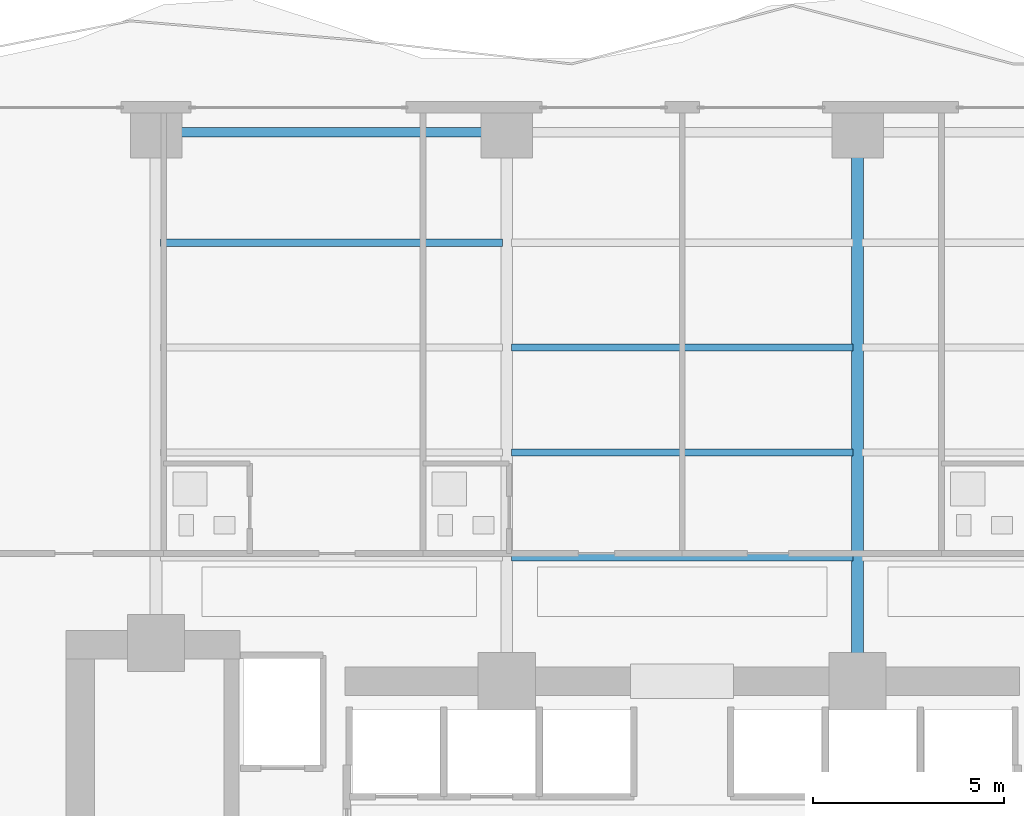
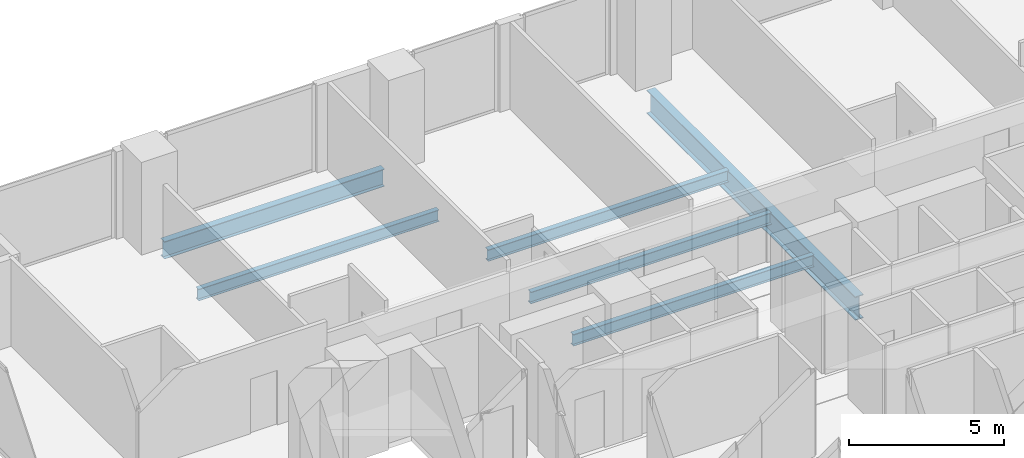
# One storey, part 16 of 30: 6 beams.
"""IFC4 building model written with IfcOpenShell, lengths in metres."""

from ifc_helpers import new_model, si_unit, direction, frame, origin, origin_2d, place, context, subcontext, project, spatial, i_section, extrude, material, material_profile, profile_set, type_object, element, save


model = new_model("IFC4")

# Units and contexts
model_context = context("Model", 3, precision=1e-05, world=origin(), true_north=direction((0.0, 1.0)))
body_context = subcontext(model_context, "Body", "Model", "MODEL_VIEW")
ifc_project = project(units=[si_unit("LENGTHUNIT", "METRE"), si_unit("AREAUNIT", "SQUARE_METRE"), si_unit("VOLUMEUNIT", "CUBIC_METRE"), si_unit("PLANEANGLEUNIT", "RADIAN"), si_unit("MASSUNIT", "GRAM", prefix="KILO")], contexts=[model_context])

# Site, building, storey
site_placement = place(None, origin())
site = spatial("IfcSite", under=ifc_project, at=site_placement, CompositionType="ELEMENT")
building_placement = place(site_placement, origin())
building = spatial("IfcBuilding", under=site, at=building_placement, Name="Zuhayl Quay Hotel", CompositionType="ELEMENT")
storey_placement = place(building_placement, frame((0.0, 0.0, 128.5)))
storey = spatial("IfcBuildingStorey", under=building, at=storey_placement, Name="L32", CompositionType="ELEMENT", Elevation=128.5)

# Beams
ifc_material = material(Name="Steel ASTM A992 Grade 50", Category="steel")
ifc_material_profile_1 = material_profile(ifc_material, i_section(OverallWidth=0.25390625, OverallDepth=0.68310546875, WebThickness=0.012451171875, FlangeThickness=0.018798828125, at=origin_2d()), Name="W27X94")
ifc_profile_set_1 = profile_set([ifc_material_profile_1], Name="Steel ASTM A992 Grade 50")
beam_type_1 = type_object("IfcBeamType", Name="BM_B2_W27X94", PredefinedType="BEAM", material=ifc_profile_set_1)
beam_1_placement = place(storey_placement, frame((-5.10009765625, 27.75, -0.5615234375), z_axis=(-1.0, 0.0, 0.0), x_axis=(0.0, -1.0, 0.0)))
element("IfcBeam", 1, at=beam_1_placement, inside=storey, type_object=beam_type_1, Name="L32 Floor Beam RG_L32_09", PredefinedType="BEAM", context=body_context, shape_type="SweptSolid", body=[
    extrude(i_section(OverallWidth=0.25390625, OverallDepth=0.68310546875, WebThickness=0.012451171875, FlangeThickness=0.018798828125, at=origin_2d()), origin(), (0.0, 0.0, 1.0), 8.199951171875),
])
ifc_material_profile_2 = material_profile(ifc_material, i_section(OverallWidth=0.18994140625, OverallDepth=0.45703125, WebThickness=0.009033203125, FlangeThickness=0.014404296875, at=origin_2d()), Name="W18X50")
ifc_profile_set_2 = profile_set([ifc_material_profile_2], Name="Steel ASTM A992 Grade 50")
beam_type_2 = type_object("IfcBeamType", Name="BM_J2_W18X50", PredefinedType="JOIST", material=ifc_profile_set_2)
for number, where, z_axis, x_axis, name in (
    (2, (-4.48095703125, 16.60009765625, -0.448486328125), (1.0, 0.0, 0.0), (0.0, 1.0, 0.0), "L32 Floor Beam FJ_L32_1_2"),
    (3, (-4.48095703125, 19.35009765625, -0.448486328125), (1.0, 0.0, 0.0), (0.0, 1.0, 0.0), "L32 Floor Beam FJ_L32_2_2"),
    (4, (-4.48095703125, 22.10009765625, -0.448486328125), (1.0, 0.0, 0.0), (0.0, 1.0, 0.0), "L32 Floor Beam FJ_L32_3_2"),
    (5, (-13.680908203125, 24.85009765625, -0.448486328125), (1.0, 0.0, 0.0), (0.0, 1.0, 0.0), "L32 Floor Beam FJ_L32_4_1"),
):
    element("IfcBeam", number, at=place(storey_placement, frame(where, z_axis=z_axis, x_axis=x_axis)), inside=storey, type_object=beam_type_2, Name=name, PredefinedType="JOIST", context=body_context, shape_type="SweptSolid", body=[
        extrude(i_section(OverallWidth=0.18994140625, OverallDepth=0.45703125, WebThickness=0.009033203125, FlangeThickness=0.014404296875, at=origin_2d()), origin(), (0.0, 0.0, 1.0), 8.9619140625),
    ])
ifc_material_profile_3 = material_profile(ifc_material, i_section(OverallWidth=0.306884765625, OverallDepth=0.927001953125, WebThickness=0.019287109375, FlangeThickness=0.031982421875, at=origin_2d()), Name="W36X194")
ifc_profile_set_3 = profile_set([ifc_material_profile_3], Name="Steel ASTM A992 Grade 50")
beam_type_3 = type_object("IfcBeamType", Name="BM_PG2_W36X194", PredefinedType="BEAM", material=ifc_profile_set_3)
beam_2_placement = place(storey_placement, frame((4.60009765625, 13.800048828125, -0.68359375), z_axis=(0.0, 1.0, 0.0), x_axis=(-1.0, 0.0, 0.0)))
element("IfcBeam", 6, at=beam_2_placement, inside=storey, type_object=beam_type_3, Name="L32 Floor Beam FG_N_L32_3", PredefinedType="BEAM", context=body_context, shape_type="SweptSolid", body=[
    extrude(i_section(OverallWidth=0.306884765625, OverallDepth=0.927001953125, WebThickness=0.019287109375, FlangeThickness=0.031982421875, at=origin_2d()), origin(), (0.0, 0.0, 1.0), 13.449951171875),
])

save(model, "model.ifc")
